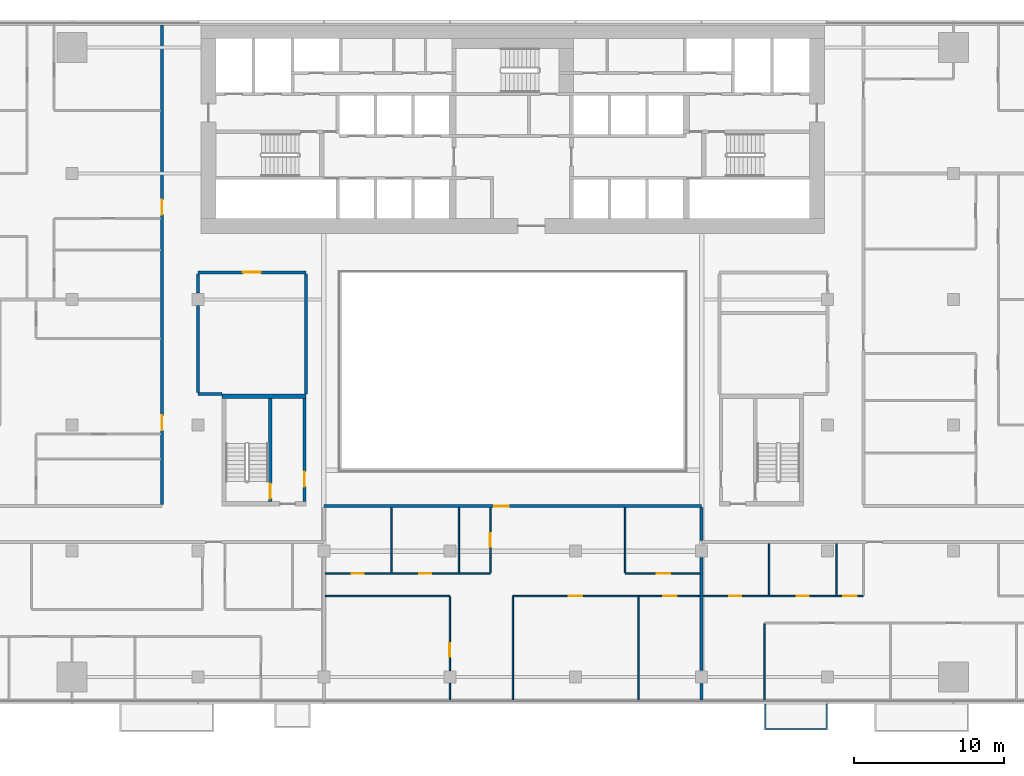
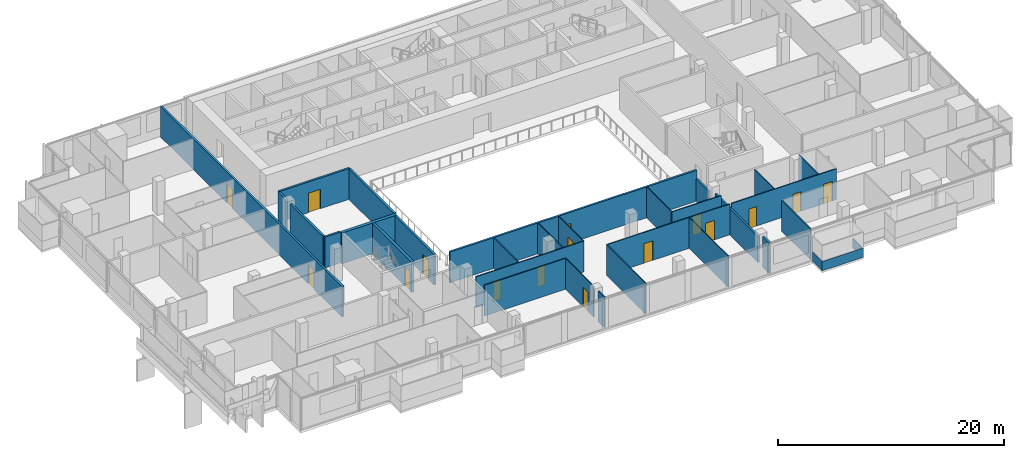
# One storey, part 19 of 29: 30 walls, 16 doors, 16 openings.
"""IFC4 building model written with IfcOpenShell, lengths in metres."""

from ifc_helpers import new_model, si_unit, direction, frame, frame_2d, origin, place, context, subcontext, project, spatial, polyline, rectangle, outline, extrude, material, layer, layer_set, type_object, element, fill, save


model = new_model("IFC4")

# Units and contexts
model_context = context("Model", 3, precision=1e-05, world=origin(), true_north=direction((0.0, 1.0)))
body_context = subcontext(model_context, "Body", "Model", "MODEL_VIEW")
ifc_project = project(units=[si_unit("LENGTHUNIT", "METRE"), si_unit("AREAUNIT", "SQUARE_METRE"), si_unit("VOLUMEUNIT", "CUBIC_METRE"), si_unit("PLANEANGLEUNIT", "RADIAN"), si_unit("MASSUNIT", "GRAM", prefix="KILO")], contexts=[model_context])

# Site, building, storey
site_placement = place(None, origin())
site = spatial("IfcSite", under=ifc_project, at=site_placement, CompositionType="ELEMENT")
building_placement = place(site_placement, origin())
building = spatial("IfcBuilding", under=site, at=building_placement, Name="Saffron Gate Tower", CompositionType="ELEMENT")
storey_placement = place(building_placement, frame((0.0, 0.0, 113.25)))
storey = spatial("IfcBuildingStorey", under=building, at=storey_placement, Name="L26", CompositionType="ELEMENT", Elevation=113.25)

# Wall, opening, door
ifc_material_1 = material(Name="Gypsum board partition on steel studs", Category="steel")
ifc_layer_1 = layer(ifc_material_1, 0.199951171875)
ifc_layer_set_1 = layer_set([ifc_layer_1], Name="CW10 Core partition 200")
wall_type_1 = type_object("IfcWallType", Name="CW10 Core partition 200", PredefinedType="PARTITIONING", material=ifc_layer_set_1)
wall_1_placement = place(storey_placement, frame((73.699951171875, 43.5, 0.0), z_axis=(0.0, 0.0, 1.0), x_axis=(0.0, 1.0, 0.0)))
wall_1 = element("IfcWall", 1, at=wall_1_placement, inside=storey, type_object=wall_type_1, Name="Wall CW10-L26-D-4", PredefinedType="PARTITIONING", context=body_context, shape_type="SweptSolid", body=[
    extrude(rectangle(XDim=6.89990234375, YDim=0.199951171875, at=frame_2d((3.449951171875, 0.0))), origin(), (0.0, 0.0, 1.0), 3.320068359375),
])
opening_1_placement = place(wall_1_placement, frame((1.0, 0.0, 0.0)))
opening_1 = element("IfcOpeningElement", 2, at=opening_1_placement, cuts=wall_1, Name="Opening CR-19", PredefinedType="OPENING", context=body_context, shape_type="SweptSolid", body=[
    extrude(rectangle(XDim=1.0, YDim=2.10009765625, at=frame_2d((0.5, 1.050048828125))), frame((0.0, 0.10986328125, 0.0), z_axis=(0.0, -1.0, 0.0), x_axis=(1.0, 0.0, 0.0)), (0.0, 0.0, 1.0), 0.219970703125),
])
ifc_material_2 = material(Name="Steel fire door set", Category="steel")
door_type_1 = type_object("IfcDoorType", Name="CD4 Lobby door 1000x2100 EI 120", OperationType="NOTDEFINED", PredefinedType="DOOR", material=ifc_material_2)
door_1_placement = place(opening_1_placement, origin())
door_1 = element("IfcDoor", 3, at=door_1_placement, inside=storey, type_object=door_type_1, Name="DOOR CR-19", OperationType="SINGLE_SWING_RIGHT", OverallHeight=2.10009765625, OverallWidth=1.0, PredefinedType="DOOR", context=body_context, shape_type="SweptSolid", body=[
    extrude(rectangle(XDim=1.0, YDim=2.10009765625, at=frame_2d((0.5, 1.050048828125))), frame((0.0, 0.02490234375, 0.0), z_axis=(0.0, -1.0, 0.0), x_axis=(1.0, 0.0, 0.0)), (0.0, 0.0, 1.0), 0.050048828125),
])
fill(opening_1, door_1)

ifc_material_3 = material(Name="Concrete C70", Category="concrete")
ifc_layer_2 = layer(ifc_material_3, 0.25)
ifc_layer_set_2 = layer_set([ifc_layer_2], Name="CW2 RC core wall 250 C70")
wall_type_2 = type_object("IfcWallType", Name="CW2 RC core wall 250 C70", PredefinedType="SOLIDWALL", material=ifc_layer_set_2)
wall_2_placement = place(storey_placement, frame((71.425048828125, 43.5, 0.0), z_axis=(0.0, 0.0, 1.0), x_axis=(0.0, 1.0, 0.0)))
wall_2 = element("IfcWall", 4, at=wall_2_placement, inside=storey, type_object=wall_type_2, Name="Wall CW2-L26-D-3", PredefinedType="SOLIDWALL", context=body_context, shape_type="SweptSolid", body=[
    extrude(rectangle(XDim=6.89990234375, YDim=0.25, at=frame_2d((3.449951171875, 0.0))), origin(), (0.0, 0.0, 1.0), 3.320068359375),
])
opening_2_placement = place(wall_2_placement, frame((0.199951171875, 0.0, 0.0)))
opening_2 = element("IfcOpeningElement", 5, at=opening_2_placement, cuts=wall_2, Name="Opening CR-20", PredefinedType="OPENING", context=body_context, shape_type="SweptSolid", body=[
    extrude(rectangle(XDim=1.0, YDim=2.10009765625, at=frame_2d((0.5, 1.050048828125))), frame((0.0, 0.135009765625, 0.0), z_axis=(0.0, -1.0, 0.0), x_axis=(1.0, 0.0, 0.0)), (0.0, 0.0, 1.0), 0.27001953125),
])
door_type_2 = type_object("IfcDoorType", Name="CD5 Stair door 1000x2100 EI 120", OperationType="NOTDEFINED", PredefinedType="DOOR", material=ifc_material_2)
door_2_placement = place(opening_2_placement, origin())
door_2 = element("IfcDoor", 6, at=door_2_placement, inside=storey, type_object=door_type_2, Name="DOOR CR-20", OperationType="SINGLE_SWING_LEFT", OverallHeight=2.10009765625, OverallWidth=1.0, PredefinedType="DOOR", context=body_context, shape_type="SweptSolid", body=[
    extrude(rectangle(XDim=1.0, YDim=2.10009765625, at=frame_2d((0.5, 1.050048828125))), frame((0.0, 0.02490234375, 0.0), z_axis=(0.0, -1.0, 0.0), x_axis=(1.0, 0.0, 0.0)), (0.0, 0.0, 1.0), 0.050048828125),
])
fill(opening_2, door_2)

# Walls
ifc_layer_3 = layer(ifc_material_3, 0.300048828125)
ifc_layer_set_3 = layer_set([ifc_layer_3], Name="CW5 RC core wall 300 C70")
wall_type_3 = type_object("IfcWallType", Name="CW5 RC core wall 300 C70", PredefinedType="SOLIDWALL", material=ifc_layer_set_3)
wall_3_placement = place(storey_placement, frame((68.199951171875, 50.550048828125, 0.0), z_axis=(0.0, 0.0, 1.0), x_axis=(1.0, 0.0, 0.0)))
element("IfcWall", 7, at=wall_3_placement, inside=storey, type_object=wall_type_3, Name="Wall CW5-L26-D-5", PredefinedType="SOLIDWALL", context=body_context, shape_type="SweptSolid", body=[
    extrude(rectangle(XDim=5.60009765625, YDim=0.300048828125, at=frame_2d((2.800048828125, 0.0))), origin(), (0.0, 0.0, 1.0), 3.320068359375),
])
ifc_material_4 = material(Name="Plasterboard on steel studs", Category="steel")
ifc_layer_4 = layer(ifc_material_4, 0.10009765625)
ifc_layer_set_4 = layer_set([ifc_layer_4], Name="PW1 Partition 100")
wall_type_4 = type_object("IfcWallType", Name="PW1 Partition 100", PredefinedType="PARTITIONING", material=ifc_layer_set_4)
wall_4_placement = place(storey_placement, frame((75.10009765625, 37.199951171875, 0.0), z_axis=(0.0, 0.0, 1.0), x_axis=(1.0, 0.0, 0.0)))
element("IfcWall", 8, at=wall_4_placement, inside=storey, type_object=wall_type_4, Name="Partition B2-5", PredefinedType="PARTITIONING", context=body_context, shape_type="SweptSolid", body=[
    extrude(rectangle(XDim=8.2998046875, YDim=0.10009765625, at=frame_2d((4.14990234375, 0.0))), origin(), (0.0, 0.0, 1.0), 3.320068359375),
])

# Wall, openings, doors
wall_5_placement = place(storey_placement, frame((75.10009765625, 38.699951171875, 0.0), z_axis=(0.0, 0.0, 1.0), x_axis=(1.0, 0.0, 0.0)))
wall_5 = element("IfcWall", 9, at=wall_5_placement, inside=storey, type_object=wall_type_4, Name="Partition B2-7", PredefinedType="PARTITIONING", context=body_context, shape_type="SweptSolid", body=[
    extrude(rectangle(XDim=11.0, YDim=0.10009765625, at=frame_2d((5.5, 0.0))), origin(), (0.0, 0.0, 1.0), 3.320068359375),
])
opening_3_placement = place(wall_5_placement, frame((1.75, 0.0, 0.0)))
opening_3 = element("IfcOpeningElement", 10, at=opening_3_placement, cuts=wall_5, Name="Opening B2-38", PredefinedType="OPENING", context=body_context, shape_type="SweptSolid", body=[
    extrude(rectangle(XDim=0.800048828125, YDim=2.10009765625, at=frame_2d((0.39990234375, 1.050048828125))), frame((0.0, 0.06005859375, 0.0), z_axis=(0.0, -1.0, 0.0), x_axis=(1.0, 0.0, 0.0)), (0.0, 0.0, 1.0), 0.1201171875),
])
opening_4_placement = place(wall_5_placement, frame((6.25, 0.0, 0.0)))
opening_4 = element("IfcOpeningElement", 11, at=opening_4_placement, cuts=wall_5, Name="Opening B2-39", PredefinedType="OPENING", context=body_context, shape_type="SweptSolid", body=[
    extrude(rectangle(XDim=0.800048828125, YDim=2.10009765625, at=frame_2d((0.39990234375, 1.050048828125))), frame((0.0, 0.06005859375, 0.0), z_axis=(0.0, -1.0, 0.0), x_axis=(1.0, 0.0, 0.0)), (0.0, 0.0, 1.0), 0.1201171875),
])
ifc_material_5 = material(Name="Timber door set", Category="wood")
door_type_3 = type_object("IfcDoorType", Name="RD2 Bathroom door 800x2100", OperationType="NOTDEFINED", PredefinedType="DOOR", material=ifc_material_5)
door_3_placement = place(opening_3_placement, origin())
door_3 = element("IfcDoor", 12, at=door_3_placement, inside=storey, type_object=door_type_3, Name="Door B2-38", OperationType="SINGLE_SWING_LEFT", OverallHeight=2.10009765625, OverallWidth=0.800048828125, PredefinedType="DOOR", context=body_context, shape_type="SweptSolid", body=[
    extrude(rectangle(XDim=0.800048828125, YDim=2.10009765625, at=frame_2d((0.39990234375, 1.050048828125))), frame((0.0, 0.02490234375, 0.0), z_axis=(0.0, -1.0, 0.0), x_axis=(1.0, 0.0, 0.0)), (0.0, 0.0, 1.0), 0.050048828125),
])
fill(opening_3, door_3)
door_4_placement = place(opening_4_placement, origin())
door_4 = element("IfcDoor", 13, at=door_4_placement, inside=storey, type_object=door_type_3, Name="Door B2-39", OperationType="SINGLE_SWING_LEFT", OverallHeight=2.10009765625, OverallWidth=0.800048828125, PredefinedType="DOOR", context=body_context, shape_type="SweptSolid", body=[
    extrude(rectangle(XDim=0.800048828125, YDim=2.10009765625, at=frame_2d((0.39990234375, 1.050048828125))), frame((0.0, 0.02490234375, 0.0), z_axis=(0.0, -1.0, 0.0), x_axis=(1.0, 0.0, 0.0)), (0.0, 0.0, 1.0), 0.050048828125),
])
fill(opening_4, door_4)

# Wall, opening, door
wall_6_placement = place(storey_placement, frame((95.10009765625, 38.699951171875, 0.0), z_axis=(0.0, 0.0, 1.0), x_axis=(1.0, 0.0, 0.0)))
wall_6 = element("IfcWall", 14, at=wall_6_placement, inside=storey, type_object=wall_type_4, Name="Partition B2-8", PredefinedType="PARTITIONING", context=body_context, shape_type="SweptSolid", body=[
    extrude(rectangle(XDim=5.0, YDim=0.10009765625, at=frame_2d((2.5, 0.0))), origin(), (0.0, 0.0, 1.0), 3.320068359375),
])
opening_5_placement = place(wall_6_placement, frame((2.10009765625, 0.0, 0.0)))
opening_5 = element("IfcOpeningElement", 15, at=opening_5_placement, cuts=wall_6, Name="Opening B2-16", PredefinedType="OPENING", context=body_context, shape_type="SweptSolid", body=[
    extrude(rectangle(XDim=0.89990234375, YDim=2.10009765625, at=frame_2d((0.449951171875, 1.050048828125))), frame((0.0, 0.06005859375, 0.0), z_axis=(0.0, -1.0, 0.0), x_axis=(1.0, 0.0, 0.0)), (0.0, 0.0, 1.0), 0.1201171875),
])
door_type_4 = type_object("IfcDoorType", Name="RD1 Room door 900x2100", OperationType="NOTDEFINED", PredefinedType="DOOR", material=ifc_material_5)
door_5_placement = place(opening_5_placement, origin())
door_5 = element("IfcDoor", 16, at=door_5_placement, inside=storey, type_object=door_type_4, Name="Door B2-16", OperationType="SINGLE_SWING_RIGHT", OverallHeight=2.10009765625, OverallWidth=0.89990234375, PredefinedType="DOOR", context=body_context, shape_type="SweptSolid", body=[
    extrude(rectangle(XDim=0.89990234375, YDim=2.10009765625, at=frame_2d((0.449951171875, 1.050048828125))), frame((0.0, 0.02490234375, 0.0), z_axis=(0.0, -1.0, 0.0), x_axis=(1.0, 0.0, 0.0)), (0.0, 0.0, 1.0), 0.050048828125),
])
fill(opening_5, door_5)

# Walls
wall_7_placement = place(storey_placement, frame((79.5, 43.10009765625, 0.0), z_axis=(0.0, 0.0, 1.0), x_axis=(0.0, -1.0, 0.0)))
element("IfcWall", 17, at=wall_7_placement, inside=storey, type_object=wall_type_4, Name="Partition B2-72", PredefinedType="PARTITIONING", context=body_context, shape_type="SweptSolid", body=[
    extrude(rectangle(XDim=4.35009765625, YDim=0.10009765625, at=frame_2d((2.175048828125, 0.0))), origin(), (0.0, 0.0, 1.0), 3.320068359375),
])
wall_8_placement = place(storey_placement, frame((83.39990234375, 31.3798828125, 0.0), z_axis=(0.0, 0.0, 1.0), x_axis=(0.0, -1.0, 0.0)))
element("IfcWall", 18, at=wall_8_placement, inside=storey, type_object=wall_type_4, Name="Partition B2-73", PredefinedType="PARTITIONING", context=body_context, shape_type="SweptSolid", body=[
    extrude(rectangle(XDim=1.099853515625, YDim=0.10009765625, at=frame_2d((0.5498046875, 0.0))), origin(), (0.0, 0.0, 1.0), 3.320068359375),
])

# Wall, opening, door
wall_9_placement = place(storey_placement, frame((83.39990234375, 32.219970703125, 0.0), z_axis=(0.0, 0.0, 1.0), x_axis=(0.0, 1.0, 0.0)))
wall_9 = element("IfcWall", 19, at=wall_9_placement, inside=storey, type_object=wall_type_4, Name="Partition B2-74", PredefinedType="PARTITIONING", context=body_context, shape_type="SweptSolid", body=[
    extrude(rectangle(XDim=4.929931640625, YDim=0.10009765625, at=frame_2d((2.46484375, 0.0))), origin(), (0.0, 0.0, 1.0), 3.320068359375),
])
opening_6_placement = place(wall_9_placement, frame((0.929931640625, 0.0, 0.0)))
opening_6 = element("IfcOpeningElement", 20, at=opening_6_placement, cuts=wall_9, Name="Opening B2-13", PredefinedType="OPENING", context=body_context, shape_type="SweptSolid", body=[
    extrude(rectangle(XDim=0.89990234375, YDim=2.10009765625, at=frame_2d((0.449951171875, 1.050048828125))), frame((0.0, 0.06005859375, 0.0), z_axis=(0.0, -1.0, 0.0), x_axis=(1.0, 0.0, 0.0)), (0.0, 0.0, 1.0), 0.1201171875),
])
door_6_placement = place(opening_6_placement, origin())
door_6 = element("IfcDoor", 21, at=door_6_placement, inside=storey, type_object=door_type_4, Name="Door B2-13", OperationType="SINGLE_SWING_LEFT", OverallHeight=2.10009765625, OverallWidth=0.89990234375, PredefinedType="DOOR", context=body_context, shape_type="SweptSolid", body=[
    extrude(rectangle(XDim=0.89990234375, YDim=2.10009765625, at=frame_2d((0.449951171875, 1.050048828125))), frame((0.0, 0.02490234375, 0.0), z_axis=(0.0, -1.0, 0.0), x_axis=(1.0, 0.0, 0.0)), (0.0, 0.0, 1.0), 0.050048828125),
])
fill(opening_6, door_6)

# Wall
wall_10_placement = place(storey_placement, frame((84.0, 43.10009765625, 0.0), z_axis=(0.0, 0.0, 1.0), x_axis=(0.0, -1.0, 0.0)))
element("IfcWall", 22, at=wall_10_placement, inside=storey, type_object=wall_type_4, Name="Partition B2-75", PredefinedType="PARTITIONING", context=body_context, shape_type="SweptSolid", body=[
    extrude(rectangle(XDim=4.35009765625, YDim=0.10009765625, at=frame_2d((2.175048828125, 0.0))), origin(), (0.0, 0.0, 1.0), 3.320068359375),
])

# Wall, opening, door
wall_11_placement = place(storey_placement, frame((86.10009765625, 38.75, 0.0), z_axis=(0.0, 0.0, 1.0), x_axis=(0.0, 1.0, 0.0)))
wall_11 = element("IfcWall", 23, at=wall_11_placement, inside=storey, type_object=wall_type_4, Name="Partition B2-76", PredefinedType="PARTITIONING", context=body_context, shape_type="SweptSolid", body=[
    extrude(rectangle(XDim=4.35009765625, YDim=0.10009765625, at=frame_2d((2.175048828125, 0.0))), origin(), (0.0, 0.0, 1.0), 3.320068359375),
])
opening_7_placement = place(wall_11_placement, frame((1.75, 0.0, 0.0)))
opening_7 = element("IfcOpeningElement", 24, at=opening_7_placement, cuts=wall_11, Name="Opening B2-17", PredefinedType="OPENING", context=body_context, shape_type="SweptSolid", body=[
    extrude(rectangle(XDim=0.89990234375, YDim=2.10009765625, at=frame_2d((0.449951171875, 1.050048828125))), frame((0.0, 0.06005859375, 0.0), z_axis=(0.0, -1.0, 0.0), x_axis=(1.0, 0.0, 0.0)), (0.0, 0.0, 1.0), 0.1201171875),
])
door_7_placement = place(opening_7_placement, origin())
door_7 = element("IfcDoor", 25, at=door_7_placement, inside=storey, type_object=door_type_4, Name="Door B2-17", OperationType="SINGLE_SWING_RIGHT", OverallHeight=2.10009765625, OverallWidth=0.89990234375, PredefinedType="DOOR", context=body_context, shape_type="SweptSolid", body=[
    extrude(rectangle(XDim=0.89990234375, YDim=2.10009765625, at=frame_2d((0.449951171875, 1.050048828125))), frame((0.0, 0.02490234375, 0.0), z_axis=(0.0, -1.0, 0.0), x_axis=(1.0, 0.0, 0.0)), (0.0, 0.0, 1.0), 0.050048828125),
])
fill(opening_7, door_7)

# Walls
wall_12_placement = place(storey_placement, frame((87.60009765625, 37.14990234375, 0.0), z_axis=(0.0, 0.0, 1.0), x_axis=(0.0, -1.0, 0.0)))
element("IfcWall", 26, at=wall_12_placement, inside=storey, type_object=wall_type_4, Name="Partition B2-77", PredefinedType="PARTITIONING", context=body_context, shape_type="SweptSolid", body=[
    extrude(rectangle(XDim=6.869873046875, YDim=0.10009765625, at=frame_2d((3.43505859375, 0.0))), origin(), (0.0, 0.0, 1.0), 3.320068359375),
])
wall_13_placement = place(storey_placement, frame((95.10009765625, 43.10009765625, 0.0), z_axis=(0.0, 0.0, 1.0), x_axis=(0.0, -1.0, 0.0)))
element("IfcWall", 27, at=wall_13_placement, inside=storey, type_object=wall_type_4, Name="Partition B2-78", PredefinedType="PARTITIONING", context=body_context, shape_type="SweptSolid", body=[
    extrude(rectangle(XDim=4.35009765625, YDim=0.10009765625, at=frame_2d((2.175048828125, 0.0))), origin(), (0.0, 0.0, 1.0), 3.320068359375),
])
wall_14_placement = place(storey_placement, frame((96.0, 37.14990234375, 0.0), z_axis=(0.0, 0.0, 1.0), x_axis=(0.0, -1.0, 0.0)))
element("IfcWall", 28, at=wall_14_placement, inside=storey, type_object=wall_type_4, Name="Partition B2-79", PredefinedType="PARTITIONING", context=body_context, shape_type="SweptSolid", body=[
    extrude(rectangle(XDim=6.869873046875, YDim=0.10009765625, at=frame_2d((3.43505859375, 0.0))), origin(), (0.0, 0.0, 1.0), 3.320068359375),
])
wall_15_placement = place(storey_placement, frame((104.39990234375, 35.35009765625, 0.0), z_axis=(0.0, 0.0, 1.0), x_axis=(0.0, -1.0, 0.0)))
element("IfcWall", 29, at=wall_15_placement, inside=storey, type_object=wall_type_4, Name="Partition B2-84", PredefinedType="PARTITIONING", context=body_context, shape_type="SweptSolid", body=[
    extrude(rectangle(XDim=5.070068359375, YDim=0.10009765625, at=frame_2d((2.53515625, 0.0))), origin(), (0.0, 0.0, 1.0), 3.320068359375),
])
for number, where, z_axis, x_axis, name in (
    (30, (104.699951171875, 40.699951171875, 0.0), (0.0, 0.0, 1.0), (0.0, -1.0, 0.0), "Partition B2-85"),
    (31, (109.199951171875, 40.699951171875, 0.0), (0.0, 0.0, 1.0), (0.0, -1.0, 0.0), "Partition B2-88"),
):
    element("IfcWall", number, at=place(storey_placement, frame(where, z_axis=z_axis, x_axis=x_axis)), inside=storey, type_object=wall_type_4, Name=name, PredefinedType="PARTITIONING", context=body_context, shape_type="SweptSolid", body=[
        extrude(rectangle(XDim=3.449951171875, YDim=0.10009765625, at=frame_2d((1.72509765625, 0.0))), origin(), (0.0, 0.0, 1.0), 3.320068359375),
    ])

# Wall, openings, doors
wall_16_placement = place(storey_placement, frame((100.10009765625, 37.199951171875, 0.0), z_axis=(0.0, 0.0, 1.0), x_axis=(-1.0, 0.0, 0.0)))
wall_16 = element("IfcWall", 32, at=wall_16_placement, inside=storey, type_object=wall_type_4, Name="Partition B2-100", PredefinedType="PARTITIONING", context=body_context, shape_type="SweptSolid", body=[
    extrude(rectangle(XDim=12.5, YDim=0.10009765625, at=frame_2d((6.25, 0.0))), origin(), (0.0, 0.0, 1.0), 3.320068359375),
])
opening_8_placement = place(wall_16_placement, frame((1.550048828125, 0.0, 0.0)))
opening_8 = element("IfcOpeningElement", 33, at=opening_8_placement, cuts=wall_16, Name="Opening B2-15", PredefinedType="OPENING", context=body_context, shape_type="SweptSolid", body=[
    extrude(rectangle(XDim=0.89990234375, YDim=2.10009765625, at=frame_2d((0.449951171875, 1.050048828125))), frame((0.0, 0.06005859375, 0.0), z_axis=(0.0, -1.0, 0.0), x_axis=(1.0, 0.0, 0.0)), (0.0, 0.0, 1.0), 0.1201171875),
])
opening_9_placement = place(wall_16_placement, frame((7.85009765625, 0.0, 0.0)))
opening_9 = element("IfcOpeningElement", 34, at=opening_9_placement, cuts=wall_16, Name="Opening B2-14", PredefinedType="OPENING", context=body_context, shape_type="SweptSolid", body=[
    extrude(rectangle(XDim=0.89990234375, YDim=2.10009765625, at=frame_2d((0.449951171875, 1.050048828125))), frame((0.0, 0.06005859375, 0.0), z_axis=(0.0, -1.0, 0.0), x_axis=(1.0, 0.0, 0.0)), (0.0, 0.0, 1.0), 0.1201171875),
])
door_8_placement = place(opening_8_placement, origin())
door_8 = element("IfcDoor", 35, at=door_8_placement, inside=storey, type_object=door_type_4, Name="Door B2-15", OperationType="SINGLE_SWING_LEFT", OverallHeight=2.10009765625, OverallWidth=0.89990234375, PredefinedType="DOOR", context=body_context, shape_type="SweptSolid", body=[
    extrude(rectangle(XDim=0.89990234375, YDim=2.10009765625, at=frame_2d((0.449951171875, 1.050048828125))), frame((0.0, 0.02490234375, 0.0), z_axis=(0.0, -1.0, 0.0), x_axis=(1.0, 0.0, 0.0)), (0.0, 0.0, 1.0), 0.050048828125),
])
fill(opening_8, door_8)
door_9_placement = place(opening_9_placement, origin())
door_9 = element("IfcDoor", 36, at=door_9_placement, inside=storey, type_object=door_type_4, Name="Door B2-14", OperationType="SINGLE_SWING_RIGHT", OverallHeight=2.10009765625, OverallWidth=0.89990234375, PredefinedType="DOOR", context=body_context, shape_type="SweptSolid", body=[
    extrude(rectangle(XDim=0.89990234375, YDim=2.10009765625, at=frame_2d((0.449951171875, 1.050048828125))), frame((0.0, 0.02490234375, 0.0), z_axis=(0.0, -1.0, 0.0), x_axis=(1.0, 0.0, 0.0)), (0.0, 0.0, 1.0), 0.050048828125),
])
fill(opening_9, door_9)

wall_17_placement = place(storey_placement, frame((100.300048828125, 37.199951171875, 0.0), z_axis=(0.0, 0.0, 1.0), x_axis=(1.0, 0.0, 0.0)))
wall_17 = element("IfcWall", 37, at=wall_17_placement, inside=storey, type_object=wall_type_4, Name="Partition B2-101", PredefinedType="PARTITIONING", context=body_context, shape_type="SweptSolid", body=[
    extrude(rectangle(XDim=10.699951171875, YDim=0.10009765625, at=frame_2d((5.35009765625, 0.0))), origin(), (0.0, 0.0, 1.0), 3.320068359375),
])
opening_10_placement = place(wall_17_placement, frame((1.75, 0.0, 0.0)))
opening_10 = element("IfcOpeningElement", 38, at=opening_10_placement, cuts=wall_17, Name="Opening B2-40", PredefinedType="OPENING", context=body_context, shape_type="SweptSolid", body=[
    extrude(rectangle(XDim=0.800048828125, YDim=2.10009765625, at=frame_2d((0.39990234375, 1.050048828125))), frame((0.0, 0.06005859375, 0.0), z_axis=(0.0, -1.0, 0.0), x_axis=(1.0, 0.0, 0.0)), (0.0, 0.0, 1.0), 0.1201171875),
])
opening_11_placement = place(wall_17_placement, frame((6.25, 0.0, 0.0)))
opening_11 = element("IfcOpeningElement", 39, at=opening_11_placement, cuts=wall_17, Name="Opening B2-41", PredefinedType="OPENING", context=body_context, shape_type="SweptSolid", body=[
    extrude(rectangle(XDim=0.800048828125, YDim=2.10009765625, at=frame_2d((0.39990234375, 1.050048828125))), frame((0.0, 0.06005859375, 0.0), z_axis=(0.0, -1.0, 0.0), x_axis=(1.0, 0.0, 0.0)), (0.0, 0.0, 1.0), 0.1201171875),
])
opening_12_placement = place(wall_17_placement, frame((9.35009765625, 0.0, 0.0)))
opening_12 = element("IfcOpeningElement", 40, at=opening_12_placement, cuts=wall_17, Name="Opening B2-22", PredefinedType="OPENING", context=body_context, shape_type="SweptSolid", body=[
    extrude(rectangle(XDim=0.89990234375, YDim=2.10009765625, at=frame_2d((0.449951171875, 1.050048828125))), frame((0.0, 0.06005859375, 0.0), z_axis=(0.0, -1.0, 0.0), x_axis=(1.0, 0.0, 0.0)), (0.0, 0.0, 1.0), 0.1201171875),
])
door_10_placement = place(opening_12_placement, origin())
door_10 = element("IfcDoor", 41, at=door_10_placement, inside=storey, type_object=door_type_4, Name="Door B2-22", OperationType="SINGLE_SWING_LEFT", OverallHeight=2.10009765625, OverallWidth=0.89990234375, PredefinedType="DOOR", context=body_context, shape_type="SweptSolid", body=[
    extrude(rectangle(XDim=0.89990234375, YDim=2.10009765625, at=frame_2d((0.449951171875, 1.050048828125))), frame((0.0, 0.02490234375, 0.0), z_axis=(0.0, -1.0, 0.0), x_axis=(1.0, 0.0, 0.0)), (0.0, 0.0, 1.0), 0.050048828125),
])
fill(opening_12, door_10)
door_11_placement = place(opening_10_placement, origin())
door_11 = element("IfcDoor", 42, at=door_11_placement, inside=storey, type_object=door_type_3, Name="Door B2-40", OperationType="SINGLE_SWING_LEFT", OverallHeight=2.10009765625, OverallWidth=0.800048828125, PredefinedType="DOOR", context=body_context, shape_type="SweptSolid", body=[
    extrude(rectangle(XDim=0.800048828125, YDim=2.10009765625, at=frame_2d((0.39990234375, 1.050048828125))), frame((0.0, 0.02490234375, 0.0), z_axis=(0.0, -1.0, 0.0), x_axis=(1.0, 0.0, 0.0)), (0.0, 0.0, 1.0), 0.050048828125),
])
fill(opening_10, door_11)
door_12_placement = place(opening_11_placement, origin())
door_12 = element("IfcDoor", 43, at=door_12_placement, inside=storey, type_object=door_type_3, Name="Door B2-41", OperationType="SINGLE_SWING_RIGHT", OverallHeight=2.10009765625, OverallWidth=0.800048828125, PredefinedType="DOOR", context=body_context, shape_type="SweptSolid", body=[
    extrude(rectangle(XDim=0.800048828125, YDim=2.10009765625, at=frame_2d((0.39990234375, 1.050048828125))), frame((0.0, 0.02490234375, 0.0), z_axis=(0.0, -1.0, 0.0), x_axis=(1.0, 0.0, 0.0)), (0.0, 0.0, 1.0), 0.050048828125),
])
fill(opening_11, door_12)

# Walls
ifc_material_6 = material(Name="Clay brick masonry, rendered", Category="masonry")
ifc_layer_5 = layer(ifc_material_6, 0.199951171875)
ifc_layer_set_5 = layer_set([ifc_layer_5], Name="PW2 Demising wall 200")
wall_type_5 = type_object("IfcWallType", Name="PW2 Demising wall 200", PredefinedType="PARTITIONING", material=ifc_layer_set_5)
wall_18_placement = place(storey_placement, frame((100.199951171875, 31.3798828125, 0.0), z_axis=(0.0, 0.0, 1.0), x_axis=(0.0, -1.0, 0.0)))
element("IfcWall", 44, at=wall_18_placement, inside=storey, type_object=wall_type_5, Name="Wall B2-81", PredefinedType="PARTITIONING", context=body_context, shape_type="SweptSolid", body=[
    extrude(rectangle(XDim=1.099853515625, YDim=0.199951171875, at=frame_2d((0.5498046875, 0.0))), origin(), (0.0, 0.0, 1.0), 3.320068359375),
])
wall_19_placement = place(storey_placement, frame((100.199951171875, 39.780029296875, 0.0), z_axis=(0.0, 0.0, 1.0), x_axis=(0.0, -1.0, 0.0)))
element("IfcWall", 45, at=wall_19_placement, inside=storey, type_object=wall_type_5, Name="Wall B2-82", PredefinedType="PARTITIONING", context=body_context, shape_type="SweptSolid", body=[
    extrude(rectangle(XDim=7.56005859375, YDim=0.199951171875, at=frame_2d((3.780029296875, 0.0))), origin(), (0.0, 0.0, 1.0), 2.830078125),
])

# Wall, opening, door
ifc_layer_6 = layer(ifc_material_6, 0.199951171875)
ifc_layer_set_6 = layer_set([ifc_layer_6], Name="PW3 Corridor wall 200")
wall_type_6 = type_object("IfcWallType", Name="PW3 Corridor wall 200", PredefinedType="PARTITIONING", material=ifc_layer_set_6)
wall_20_placement = place(storey_placement, frame((100.199951171875, 43.199951171875, 0.0), z_axis=(0.0, 0.0, 1.0), x_axis=(-1.0, 0.0, 0.0)))
wall_20 = element("IfcWall", 46, at=wall_20_placement, inside=storey, type_object=wall_type_6, Name="Wall B2-14", PredefinedType="PARTITIONING", context=body_context, shape_type="SweptSolid", body=[
    extrude(rectangle(XDim=25.199951171875, YDim=0.199951171875, at=frame_2d((12.60009765625, 0.0))), origin(), (0.0, 0.0, 1.0), 3.320068359375),
])
opening_13_placement = place(wall_20_placement, frame((12.85009765625, 0.0, 0.0)))
opening_13 = element("IfcOpeningElement", 47, at=opening_13_placement, cuts=wall_20, Name="Opening B2-2", PredefinedType="OPENING", context=body_context, shape_type="SweptSolid", body=[
    extrude(rectangle(XDim=1.0, YDim=2.10009765625, at=frame_2d((0.5, 1.050048828125))), frame((0.0, 0.10986328125, 0.0), z_axis=(0.0, -1.0, 0.0), x_axis=(1.0, 0.0, 0.0)), (0.0, 0.0, 1.0), 0.219970703125),
])
ifc_material_7 = material(Name="Timber fire door set", Category="wood")
door_type_5 = type_object("IfcDoorType", Name="FD1 Flat entry door 1000x2100", OperationType="NOTDEFINED", PredefinedType="DOOR", material=ifc_material_7)
door_13_placement = place(opening_13_placement, origin())
door_13 = element("IfcDoor", 48, at=door_13_placement, inside=storey, type_object=door_type_5, Name="Door B2-2", OperationType="SINGLE_SWING_RIGHT", OverallHeight=2.10009765625, OverallWidth=1.0, PredefinedType="DOOR", context=body_context, shape_type="SweptSolid", body=[
    extrude(rectangle(XDim=1.0, YDim=2.10009765625, at=frame_2d((0.5, 1.050048828125))), frame((0.0, 0.02490234375, 0.0), z_axis=(0.0, -1.0, 0.0), x_axis=(1.0, 0.0, 0.0)), (0.0, 0.0, 1.0), 0.050048828125),
])
fill(opening_13, door_13)

# Wall
wall_21_placement = place(storey_placement, frame((66.60009765625, 50.699951171875, 0.0), z_axis=(0.0, 0.0, 1.0), x_axis=(1.0, 0.0, 0.0)))
element("IfcWall", 49, at=wall_21_placement, inside=storey, type_object=wall_type_6, Name="Wall B2-24", PredefinedType="PARTITIONING", context=body_context, shape_type="SweptSolid", body=[
    extrude(rectangle(XDim=1.599853515625, YDim=0.199951171875, at=frame_2d((0.7998046875, 0.0))), origin(), (0.0, 0.0, 1.0), 3.320068359375),
])

# Wall, opening, door
wall_22_placement = place(storey_placement, frame((73.800048828125, 58.800048828125, 0.0), z_axis=(0.0, 0.0, 1.0), x_axis=(-1.0, 0.0, 0.0)))
wall_22 = element("IfcWall", 50, at=wall_22_placement, inside=storey, type_object=wall_type_6, Name="Wall B2-34", PredefinedType="PARTITIONING", context=body_context, shape_type="SweptSolid", body=[
    extrude(rectangle(XDim=7.199951171875, YDim=0.199951171875, at=frame_2d((3.60009765625, 0.0))), origin(), (0.0, 0.0, 1.0), 3.320068359375),
])
opening_14_placement = place(wall_22_placement, frame((3.0, 0.0, 0.0)))
opening_14 = element("IfcOpeningElement", 51, at=opening_14_placement, cuts=wall_22, Name="Opening B2-49", PredefinedType="OPENING", context=body_context, shape_type="SweptSolid", body=[
    extrude(rectangle(XDim=1.199951171875, YDim=2.10009765625, at=frame_2d((0.60009765625, 1.050048828125))), frame((0.0, 0.10986328125, 0.0), z_axis=(0.0, -1.0, 0.0), x_axis=(1.0, 0.0, 0.0)), (0.0, 0.0, 1.0), 0.219970703125),
])
door_type_6 = type_object("IfcDoorType", Name="HD1 Hall door 1200x2100", OperationType="NOTDEFINED", PredefinedType="DOOR", material=ifc_material_5)
door_14_placement = place(opening_14_placement, origin())
door_14 = element("IfcDoor", 52, at=door_14_placement, inside=storey, type_object=door_type_6, Name="Door B2-49", OperationType="SINGLE_SWING_LEFT", OverallHeight=2.10009765625, OverallWidth=1.199951171875, PredefinedType="DOOR", context=body_context, shape_type="SweptSolid", body=[
    extrude(rectangle(XDim=1.199951171875, YDim=2.10009765625, at=frame_2d((0.60009765625, 1.050048828125))), frame((0.0, 0.02490234375, 0.0), z_axis=(0.0, -1.0, 0.0), x_axis=(1.0, 0.0, 0.0)), (0.0, 0.0, 1.0), 0.050048828125),
])
fill(opening_14, door_14)

# Wall, openings, doors
wall_23_placement = place(storey_placement, frame((64.199951171875, 43.300048828125, 0.0), z_axis=(0.0, 0.0, 1.0), x_axis=(0.0, 1.0, 0.0)))
wall_23 = element("IfcWall", 53, at=wall_23_placement, inside=storey, type_object=wall_type_6, Name="Wall B2-61", PredefinedType="PARTITIONING", context=body_context, shape_type="SweptSolid", body=[
    extrude(rectangle(XDim=32.02001953125, YDim=0.199951171875, at=frame_2d((16.010009765625, 0.0))), origin(), (0.0, 0.0, 1.0), 3.320068359375),
])
opening_15_placement = place(wall_23_placement, frame((4.949951171875, 0.0, 0.0)))
opening_15 = element("IfcOpeningElement", 54, at=opening_15_placement, cuts=wall_23, Name="Opening B2-4", PredefinedType="OPENING", context=body_context, shape_type="SweptSolid", body=[
    extrude(rectangle(XDim=1.0, YDim=2.10009765625, at=frame_2d((0.5, 1.050048828125))), frame((0.0, 0.10986328125, 0.0), z_axis=(0.0, -1.0, 0.0), x_axis=(1.0, 0.0, 0.0)), (0.0, 0.0, 1.0), 0.219970703125),
])
opening_16_placement = place(wall_23_placement, frame((19.35009765625, 0.0, 0.0)))
opening_16 = element("IfcOpeningElement", 55, at=opening_16_placement, cuts=wall_23, Name="Opening B2-5", PredefinedType="OPENING", context=body_context, shape_type="SweptSolid", body=[
    extrude(rectangle(XDim=1.0, YDim=2.10009765625, at=frame_2d((0.5, 1.050048828125))), frame((0.0, 0.10986328125, 0.0), z_axis=(0.0, -1.0, 0.0), x_axis=(1.0, 0.0, 0.0)), (0.0, 0.0, 1.0), 0.219970703125),
])
door_15_placement = place(opening_15_placement, origin())
door_15 = element("IfcDoor", 56, at=door_15_placement, inside=storey, type_object=door_type_5, Name="Door B2-4", OperationType="SINGLE_SWING_RIGHT", OverallHeight=2.10009765625, OverallWidth=1.0, PredefinedType="DOOR", context=body_context, shape_type="SweptSolid", body=[
    extrude(rectangle(XDim=1.0, YDim=2.10009765625, at=frame_2d((0.5, 1.050048828125))), frame((0.0, 0.02490234375, 0.0), z_axis=(0.0, -1.0, 0.0), x_axis=(1.0, 0.0, 0.0)), (0.0, 0.0, 1.0), 0.050048828125),
])
fill(opening_15, door_15)
door_16_placement = place(opening_16_placement, origin())
door_16 = element("IfcDoor", 57, at=door_16_placement, inside=storey, type_object=door_type_5, Name="Door B2-5", OperationType="SINGLE_SWING_RIGHT", OverallHeight=2.10009765625, OverallWidth=1.0, PredefinedType="DOOR", context=body_context, shape_type="SweptSolid", body=[
    extrude(rectangle(XDim=1.0, YDim=2.10009765625, at=frame_2d((0.5, 1.050048828125))), frame((0.0, 0.02490234375, 0.0), z_axis=(0.0, -1.0, 0.0), x_axis=(1.0, 0.0, 0.0)), (0.0, 0.0, 1.0), 0.050048828125),
])
fill(opening_16, door_16)

# Walls
wall_24_placement = place(storey_placement, frame((66.60009765625, 56.580078125, 0.0), z_axis=(0.0, 0.0, 1.0), x_axis=(0.0, -1.0, 0.0)))
element("IfcWall", 58, at=wall_24_placement, inside=storey, type_object=wall_type_6, Name="Wall B2-62", PredefinedType="PARTITIONING", context=body_context, shape_type="SweptSolid", body=[
    extrude(rectangle(XDim=5.780029296875, YDim=0.199951171875, at=frame_2d((2.89013671875, 0.0))), origin(), (0.0, 0.0, 1.0), 3.320068359375),
])
wall_25_placement = place(storey_placement, frame((66.60009765625, 58.699951171875, 0.0), z_axis=(0.0, 0.0, 1.0), x_axis=(0.0, -1.0, 0.0)))
element("IfcWall", 59, at=wall_25_placement, inside=storey, type_object=wall_type_6, Name="Wall B2-63", PredefinedType="PARTITIONING", context=body_context, shape_type="SweptSolid", body=[
    extrude(rectangle(XDim=1.280029296875, YDim=0.199951171875, at=frame_2d((0.64013671875, 0.0))), origin(), (0.0, 0.0, 1.0), 3.320068359375),
])
wall_26_placement = place(storey_placement, frame((73.800048828125, 58.699951171875, 0.0), z_axis=(0.0, 0.0, 1.0), x_axis=(0.0, -1.0, 0.0)))
element("IfcWall", 60, at=wall_26_placement, inside=storey, type_object=wall_type_6, Name="Wall B2-68", PredefinedType="PARTITIONING", context=body_context, shape_type="SweptSolid", body=[
    extrude(rectangle(XDim=8.0, YDim=0.199951171875, at=frame_2d((4.0, 0.0))), origin(), (0.0, 0.0, 1.0), 3.320068359375),
])
wall_27_placement = place(storey_placement, frame((100.199951171875, 43.10009765625, 0.0), z_axis=(0.0, 0.0, 1.0), x_axis=(0.0, -1.0, 0.0)))
element("IfcWall", 61, at=wall_27_placement, inside=storey, type_object=wall_type_6, Name="Wall B2-80", PredefinedType="PARTITIONING", context=body_context, shape_type="SweptSolid", body=[
    extrude(rectangle(XDim=2.2001953125, YDim=0.199951171875, at=frame_2d((1.10009765625, 0.0))), origin(), (0.0, 0.0, 1.0), 2.429931640625),
])
ifc_material_8 = material(Name="Rendered insulated panel, white")
ifc_layer_7 = layer(ifc_material_8, 0.10009765625)
ifc_layer_set_7 = layer_set([ifc_layer_7], Name="WB3 box parapet white")
wall_type_7 = type_object("IfcWallType", Name="WB3 box parapet white", PredefinedType="SOLIDWALL", material=ifc_layer_set_7)
wall_28_placement = place(storey_placement, origin())
element("IfcWall", 62, at=wall_28_placement, inside=storey, type_object=wall_type_7, Name="WINDOW BOX parapet", PredefinedType="SOLIDWALL", context=body_context, shape_type="SweptSolid", body=[
    extrude(outline(polyline([(104.39990234375, 30.0), (104.5, 30.0), (104.5, 28.366943359375), (108.5, 28.366943359375), (108.5, 30.0), (108.60009765625, 30.0), (108.60009765625, 28.26708984375), (104.39990234375, 28.26708984375), (104.39990234375, 30.0)])), origin(), (0.0, 0.0, 1.0), 1.0),
])

save(model, "model.ifc")
